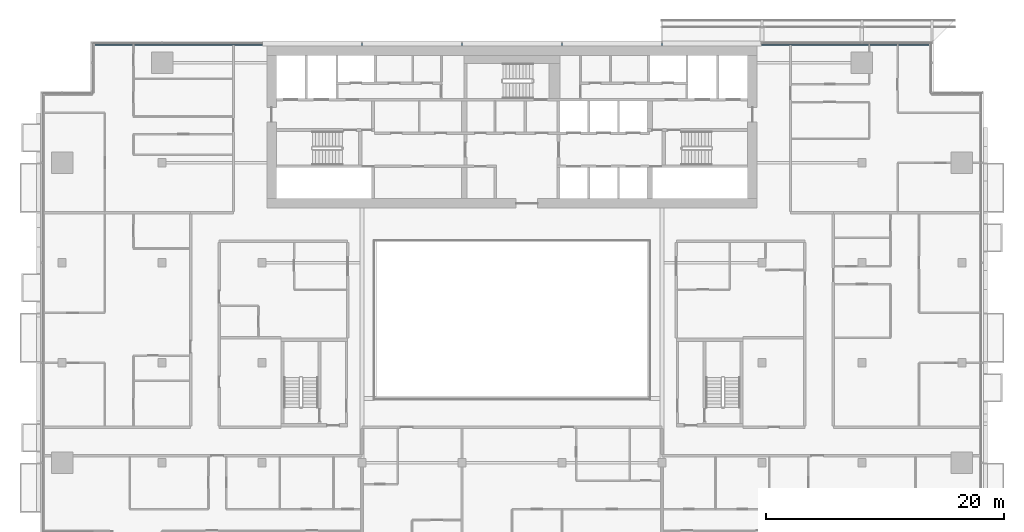
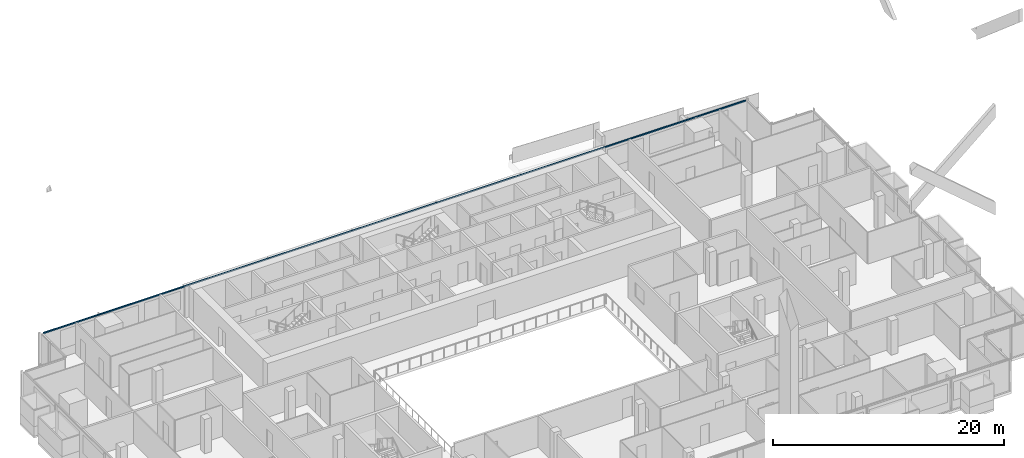
# One storey, part 9 of 31: 1 member, 1 element without a shape of its own.
"""IFC4 building model written with IfcOpenShell, lengths in metres."""

from ifc_helpers import new_model, si_unit, direction, frame, origin, origin_2d, place, context, subcontext, project, spatial, rectangle, extrude, material, material_profile, profile_set, type_object, element, aggregate, save


model = new_model("IFC4")

# Units and contexts
model_context = context("Model", 3, precision=1e-05, world=origin(), true_north=direction((0.0, 1.0)))
body_context = subcontext(model_context, "Body", "Model", "MODEL_VIEW")
ifc_project = project(units=[si_unit("LENGTHUNIT", "METRE"), si_unit("AREAUNIT", "SQUARE_METRE"), si_unit("VOLUMEUNIT", "CUBIC_METRE"), si_unit("PLANEANGLEUNIT", "RADIAN"), si_unit("MASSUNIT", "GRAM", prefix="KILO")], contexts=[model_context])

# Site, building, storey
site_placement = place(None, origin())
site = spatial("IfcSite", under=ifc_project, at=site_placement, CompositionType="ELEMENT")
building_placement = place(site_placement, origin())
building = spatial("IfcBuilding", under=site, at=building_placement, Name="Saffron Gate Tower", CompositionType="ELEMENT")
storey_placement = place(building_placement, frame((0.0, 0.0, 147.449951171875)))
storey = spatial("IfcBuildingStorey", under=building, at=storey_placement, Name="L35", CompositionType="ELEMENT", Elevation=147.449951171875)

# Curtain wall, member
ifc_material = material(Name="Aluminium, bronze anodised", Category="aluminium")
curtain_wall_type = type_object("IfcCurtainWallType", Name="CWS3 curtain wall rear facade", PredefinedType="NOTDEFINED", material=ifc_material)
curtain_wall_placement = place(storey_placement, origin())
curtain_wall = element("IfcCurtainWall", 1, at=curtain_wall_placement, inside=storey, type_object=curtain_wall_type, Name="CWS3 run 7", PredefinedType="NOTDEFINED")
ifc_material_profile = material_profile(ifc_material, rectangle(XDim=0.1201171875, YDim=0.1201171875, at=origin_2d()))
ifc_profile_set = profile_set([ifc_material_profile], Name="Aluminium, bronze anodised")
member_type = type_object("IfcMemberType", Name="CWS3 head transom", PredefinedType="USERDEFINED", material=ifc_profile_set)
member_placement = place(storey_placement, frame((122.632080078125, 75.35205078125, 3.260009765625), z_axis=(-1.0, 0.0, 0.0), x_axis=(0.0, -1.0, 0.0)))
member = element("IfcMember", 2, at=member_placement, type_object=member_type, Name="CWS3 head transom", ObjectType="TRANSOM", PredefinedType="USERDEFINED", context=body_context, shape_type="SweptSolid", body=[
    extrude(rectangle(XDim=0.1201171875, YDim=0.1201171875, at=origin_2d()), origin(), (0.0, 0.0, 1.0), 70.06396484375),
])
aggregate(curtain_wall, [member])

save(model, "model.ifc")
